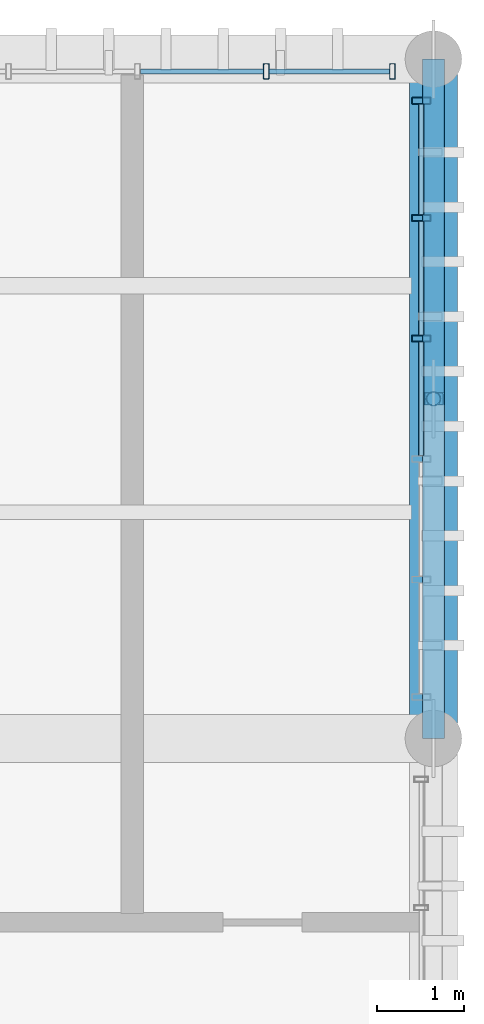
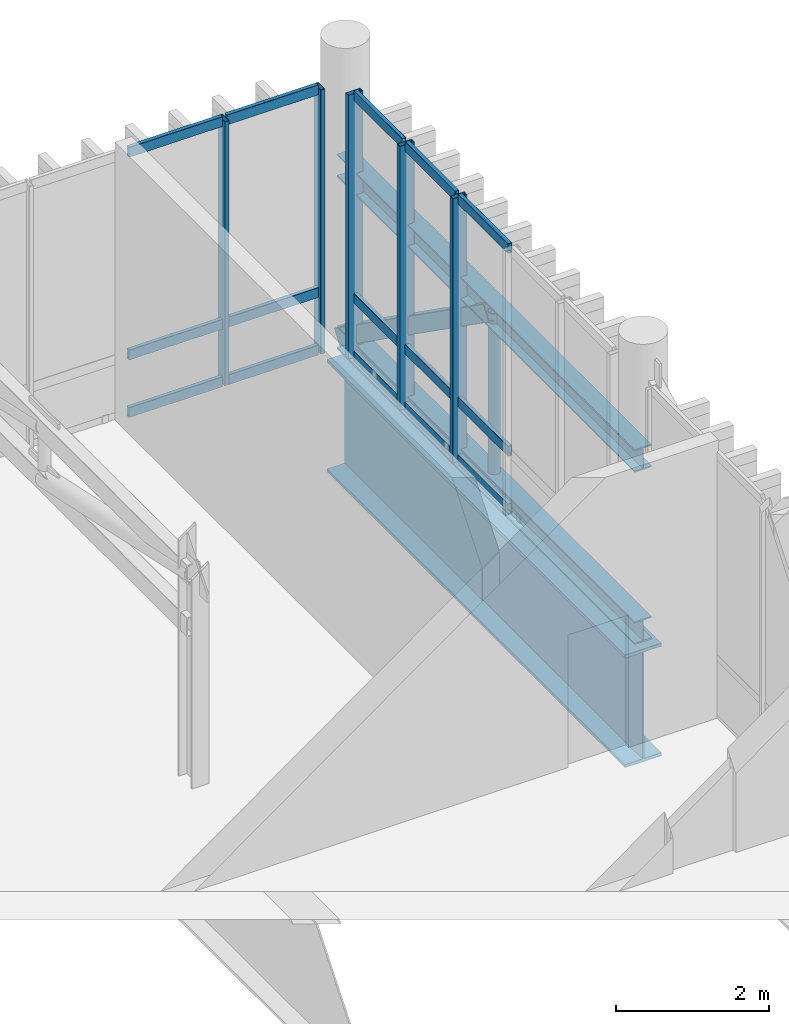
# One storey, part 54 of 81: 24 members, 1 beam, 2 elements without a shape of their own.
"""IFC4 building model written with IfcOpenShell, lengths in metres."""

from ifc_helpers import new_model, si_unit, direction, frame, origin_with_axes, origin_2d_with_axis, place, context, subcontext, project, spatial, hollow_rectangle, hollow_circle, i_section, extrude, material, material_profile, profile_set, type_object, element, aggregate, save


model = new_model("IFC4")

# Units and contexts
model_context = context("Model", 3, precision=1e-05, world=origin_with_axes(), true_north=direction((0.0, 1.0)))
body_context = subcontext(model_context, "Body", "Model", "MODEL_VIEW")
ifc_project = project(units=[si_unit("LENGTHUNIT", "METRE"), si_unit("AREAUNIT", "SQUARE_METRE"), si_unit("VOLUMEUNIT", "CUBIC_METRE"), si_unit("PLANEANGLEUNIT", "RADIAN"), si_unit("MASSUNIT", "GRAM", prefix="KILO"), si_unit("THERMODYNAMICTEMPERATUREUNIT", "KELVIN")], contexts=[model_context])

# Site, building, storey
site_placement = place(None, origin_with_axes())
site = spatial("IfcSite", under=ifc_project, at=site_placement, CompositionType="ELEMENT")
building_placement = place(site_placement, origin_with_axes())
building = spatial("IfcBuilding", under=site, at=building_placement, Name="Montbau Bow Law Courts", CompositionType="ELEMENT")
storey_placement = place(building_placement, frame((0.0, 0.0, 24.9), z_axis=(0.0, 0.0, 1.0), x_axis=(1.0, 0.0, 0.0)))
storey = spatial("IfcBuildingStorey", under=building, at=storey_placement, Name="L05", CompositionType="ELEMENT", Elevation=24.9)

# Beam
ifc_material_1 = material(Name="Steel CSA G40.21 Grade 350WT (350 MPa)", Category="steel")
ifc_material_profile_1 = material_profile(ifc_material_1, i_section(OverallWidth=0.55, OverallDepth=1.8, WebThickness=0.022, FlangeThickness=0.05, at=origin_2d_with_axis()), Name="WWF1800X550", Category="Main", Priority=0)
ifc_profile_set_1 = profile_set([ifc_material_profile_1], Name="Steel CSA G40.21 Grade 350WT (350 MPa)")
beam_type = type_object("IfcBeamType", Name="B-TRG-01", PredefinedType="USERDEFINED", material=ifc_profile_set_1)
beam_placement = place(None, frame((169.4, 103.2, 23.7), z_axis=(0.0, 1.0, 0.0), x_axis=(-1.0, 0.0, 0.0)))
element("IfcBeam", 1, at=beam_placement, inside=storey, type_object=beam_type, Name="TRG-L05-S0085:bm2_0088", ObjectType="GIRDER", PredefinedType="USERDEFINED", context=body_context, shape_type="SweptSolid", body=[
    extrude(i_section(OverallWidth=0.55, OverallDepth=1.8, WebThickness=0.022, FlangeThickness=0.05, at=origin_2d_with_axis()), origin_with_axes(), (0.0, 0.0, 1.0), 7.8),
])

# Members
ifc_material_2 = material(Name="Steel CSA G40.21 Grade 350W (350 MPa)", Category="steel")
ifc_material_profile_2 = material_profile(ifc_material_2, hollow_rectangle(XDim=0.254, YDim=0.254, WallThickness=0.0127, InnerFilletRadius=0.0254, OuterFilletRadius=0.0127, at=origin_2d_with_axis()), Name="HSS254X254X13", Category="Main", Priority=0)
ifc_profile_set_2 = profile_set([ifc_material_profile_2], Name="Steel CSA G40.21 Grade 350W (350 MPa)")
member_type_1 = type_object("IfcMemberType", Name="M-BRC-01", PredefinedType="BRACE", material=ifc_profile_set_2)
member_1_placement = place(None, frame((169.4, 107.1, 27.65), z_axis=(0.0, 0.817258134, -0.576271761), x_axis=(-1.0, 0.0, 0.0)))
element("IfcMember", 2, at=member_1_placement, inside=storey, type_object=member_type_1, Name="Diagonal brace BRC-L05-028", PredefinedType="BRACE", context=body_context, shape_type="SweptSolid", body=[
    extrude(hollow_rectangle(XDim=0.254, YDim=0.254, WallThickness=0.0127, InnerFilletRadius=0.0254, OuterFilletRadius=0.0127, at=origin_2d_with_axis()), origin_with_axes(), (0.0, 0.0, 1.0), 4.772054),
])
ifc_material_profile_3 = material_profile(ifc_material_1, i_section(OverallWidth=0.257, OverallDepth=0.363, WebThickness=0.013, FlangeThickness=0.0217, at=origin_2d_with_axis()), Name="W360X122", Category="Main", Priority=0)
ifc_profile_set_3 = profile_set([ifc_material_profile_3], Name="Steel CSA G40.21 Grade 350WT (350 MPa)")
member_type_2 = type_object("IfcMemberType", Name="M-CHD-01", PredefinedType="CHORD", material=ifc_profile_set_3)
for number, where, z_axis, x_axis, name in (
    (3, (169.4, 103.2, 24.9), (0.0, 1.0, 0.0), (-1.0, 0.0, 0.0), "CHB-L05-14:chb_0014"),
    (4, (169.4, 103.2, 27.65), (0.0, 1.0, 0.0), (-1.0, 0.0, 0.0), "CHD-L05-14:mbr_0053"),
):
    element("IfcMember", number, at=place(None, frame(where, z_axis=z_axis, x_axis=x_axis)), inside=storey, type_object=member_type_2, Name=name, PredefinedType="CHORD", context=body_context, shape_type="SweptSolid", body=[
        extrude(i_section(OverallWidth=0.257, OverallDepth=0.363, WebThickness=0.013, FlangeThickness=0.0217, at=origin_2d_with_axis()), origin_with_axes(), (0.0, 0.0, 1.0), 7.8),
    ])

# Curtain wall, members
ifc_material_3 = material(Name="Thermally Broken Extruded Aluminium AA 6063-T6", Category="aluminium")
curtain_wall_type = type_object("IfcCurtainWallType", Name="CW-SLT-02", PredefinedType="NOTDEFINED", material=ifc_material_3)
curtain_wall_1_placement = place(None, frame((169.26, 103.64, 24.9), z_axis=(0.0, 0.0, 1.0), x_axis=(1.0, 0.0, 0.0)))
curtain_wall_1 = element("IfcCurtainWall", 5, at=curtain_wall_1_placement, inside=storey, type_object=curtain_wall_type, Name="CW-L05-348:cw_0348", PredefinedType="NOTDEFINED")
ifc_material_profile_4 = material_profile(ifc_material_3, hollow_rectangle(XDim=0.075, YDim=0.22, WallThickness=0.005, InnerFilletRadius=0.01, OuterFilletRadius=0.005, at=origin_2d_with_axis()), Name="CWM-220X75", Category="Main", Priority=0)
ifc_profile_set_4 = profile_set([ifc_material_profile_4], Name="Thermally Broken Extruded Aluminium AA 6063-T6")
member_type_3 = type_object("IfcMemberType", Name="M-MUL-01", PredefinedType="MULLION", material=ifc_profile_set_4)
member_2_placement = place(None, frame((169.26, 107.792, 24.9), z_axis=(0.0, 0.0, 1.0), x_axis=(0.0, 1.0, 0.0)))
member_2 = element("IfcMember", 6, at=member_2_placement, type_object=member_type_3, Name="CW-L05-348-M04:cw_0348_M04", PredefinedType="MULLION", context=body_context, shape_type="SweptSolid", body=[
    extrude(hollow_rectangle(XDim=0.075, YDim=0.22, WallThickness=0.005, InnerFilletRadius=0.01, OuterFilletRadius=0.005, at=origin_2d_with_axis()), origin_with_axes(), (0.0, 0.0, 1.0), 4.22),
])
member_3_placement = place(None, frame((169.26, 109.176, 24.9), z_axis=(0.0, 0.0, 1.0), x_axis=(0.0, 1.0, 0.0)))
member_3 = element("IfcMember", 7, at=member_3_placement, type_object=member_type_3, Name="CW-L05-348-M05:cw_0348_M05", PredefinedType="MULLION", context=body_context, shape_type="SweptSolid", body=[
    extrude(hollow_rectangle(XDim=0.075, YDim=0.22, WallThickness=0.005, InnerFilletRadius=0.01, OuterFilletRadius=0.005, at=origin_2d_with_axis()), origin_with_axes(), (0.0, 0.0, 1.0), 4.22),
])
member_4_placement = place(None, frame((169.26, 110.523, 24.9), z_axis=(0.0, 0.0, 1.0), x_axis=(0.0, 1.0, 0.0)))
member_4 = element("IfcMember", 8, at=member_4_placement, type_object=member_type_3, Name="CW-L05-348-M06:cw_0348_M06", PredefinedType="MULLION", context=body_context, shape_type="SweptSolid", body=[
    extrude(hollow_rectangle(XDim=0.075, YDim=0.22, WallThickness=0.005, InnerFilletRadius=0.01, OuterFilletRadius=0.005, at=origin_2d_with_axis()), origin_with_axes(), (0.0, 0.0, 1.0), 4.22),
])

curtain_wall_2_placement = place(None, frame((163.04, 110.86, 24.9), z_axis=(0.0, 0.0, 1.0), x_axis=(1.0, 0.0, 0.0)))
curtain_wall_2 = element("IfcCurtainWall", 9, at=curtain_wall_2_placement, inside=storey, type_object=curtain_wall_type, Name="CW-L05-340:cw_0340", PredefinedType="NOTDEFINED")
ifc_material_profile_5 = material_profile(ifc_material_3, hollow_rectangle(XDim=0.065, YDim=0.18, WallThickness=0.005, InnerFilletRadius=0.01, OuterFilletRadius=0.005, at=origin_2d_with_axis()), Name="CWM-180X65", Category="Main", Priority=0)
ifc_profile_set_5 = profile_set([ifc_material_profile_5], Name="Thermally Broken Extruded Aluminium AA 6063-T6")
member_type_4 = type_object("IfcMemberType", Name="M-MUL-02", PredefinedType="MULLION", material=ifc_profile_set_5)
member_5_placement = place(None, frame((167.48, 110.86, 24.9), z_axis=(0.0, 0.0, 1.0), x_axis=(1.0, 0.0, 0.0)))
member_5 = element("IfcMember", 10, at=member_5_placement, type_object=member_type_4, Name="CW-L05-340-M04:cw_0340_M04", PredefinedType="MULLION", context=body_context, shape_type="SweptSolid", body=[
    extrude(hollow_rectangle(XDim=0.065, YDim=0.18, WallThickness=0.005, InnerFilletRadius=0.01, OuterFilletRadius=0.005, at=origin_2d_with_axis()), origin_with_axes(), (0.0, 0.0, 1.0), 4.22),
])
member_6_placement = place(None, frame((168.928, 110.86, 24.9), z_axis=(0.0, 0.0, 1.0), x_axis=(1.0, 0.0, 0.0)))
member_6 = element("IfcMember", 11, at=member_6_placement, type_object=member_type_4, Name="CW-L05-340-M05:cw_0340_M05", PredefinedType="MULLION", context=body_context, shape_type="SweptSolid", body=[
    extrude(hollow_rectangle(XDim=0.065, YDim=0.18, WallThickness=0.005, InnerFilletRadius=0.01, OuterFilletRadius=0.005, at=origin_2d_with_axis()), origin_with_axes(), (0.0, 0.0, 1.0), 4.22),
])

# Member
ifc_material_profile_6 = material_profile(ifc_material_2, hollow_circle(Radius=0.084, WallThickness=0.0095, at=origin_2d_with_axis()), Name="HSS168X9.5", Category="Main", Priority=0)
ifc_profile_set_6 = profile_set([ifc_material_profile_6], Name="Steel CSA G40.21 Grade 350W (350 MPa)")
member_type_5 = type_object("IfcMemberType", Name="M-STR-01", PredefinedType="STRUT", material=ifc_profile_set_6)
member_7_placement = place(None, frame((169.4, 107.1, 24.9), z_axis=(0.0, 0.0, 1.0), x_axis=(1.0, 0.0, 0.0)))
element("IfcMember", 12, at=member_7_placement, inside=storey, type_object=member_type_5, Name="STR-L05-14:mbr_0056", PredefinedType="STRUT", context=body_context, shape_type="SweptSolid", body=[
    extrude(hollow_circle(Radius=0.084, WallThickness=0.0095, at=origin_2d_with_axis()), origin_with_axes(), (0.0, 0.0, 1.0), 2.75),
])

ifc_material_profile_7 = material_profile(ifc_material_3, hollow_rectangle(XDim=0.06, YDim=0.16, WallThickness=0.004, InnerFilletRadius=0.008, OuterFilletRadius=0.004, at=origin_2d_with_axis()), Name="CWT-160X60", Category="Main", Priority=0)
ifc_profile_set_7 = profile_set([ifc_material_profile_7], Name="Thermally Broken Extruded Aluminium AA 6063-T6")
member_type_6 = type_object("IfcMemberType", Name="M-TRN-01", PredefinedType="USERDEFINED", material=ifc_profile_set_7)
member_8_placement = place(None, frame((166.034, 110.86, 24.93), z_axis=(1.0, 0.0, 0.0), x_axis=(0.0, 1.0, 0.0)))
member_8 = element("IfcMember", 13, at=member_8_placement, type_object=member_type_6, Name="CW-L05-340-T03-1:cw_0340_T03_1", ObjectType="TRANSOM", PredefinedType="USERDEFINED", context=body_context, shape_type="SweptSolid", body=[
    extrude(hollow_rectangle(XDim=0.06, YDim=0.16, WallThickness=0.004, InnerFilletRadius=0.008, OuterFilletRadius=0.004, at=origin_2d_with_axis()), origin_with_axes(), (0.0, 0.0, 1.0), 1.412),
])

member_9_placement = place(None, frame((166.034, 110.86, 25.85), z_axis=(1.0, 0.0, 0.0), x_axis=(0.0, 1.0, 0.0)))
member_9 = element("IfcMember", 14, at=member_9_placement, type_object=member_type_6, Name="CW-L05-340-T03-2:cw_0340_T03_2", ObjectType="TRANSOM", PredefinedType="USERDEFINED", context=body_context, shape_type="SweptSolid", body=[
    extrude(hollow_rectangle(XDim=0.06, YDim=0.16, WallThickness=0.004, InnerFilletRadius=0.008, OuterFilletRadius=0.004, at=origin_2d_with_axis()), origin_with_axes(), (0.0, 0.0, 1.0), 1.412),
])

member_10_placement = place(None, frame((166.034, 110.86, 29.09), z_axis=(1.0, 0.0, 0.0), x_axis=(0.0, 1.0, 0.0)))
member_10 = element("IfcMember", 15, at=member_10_placement, type_object=member_type_6, Name="CW-L05-340-T03-3:cw_0340_T03_3", ObjectType="TRANSOM", PredefinedType="USERDEFINED", context=body_context, shape_type="SweptSolid", body=[
    extrude(hollow_rectangle(XDim=0.06, YDim=0.16, WallThickness=0.004, InnerFilletRadius=0.008, OuterFilletRadius=0.004, at=origin_2d_with_axis()), origin_with_axes(), (0.0, 0.0, 1.0), 1.412),
])

member_11_placement = place(None, frame((167.514, 110.86, 24.93), z_axis=(1.0, 0.0, 0.0), x_axis=(0.0, 1.0, 0.0)))
member_11 = element("IfcMember", 16, at=member_11_placement, type_object=member_type_6, Name="CW-L05-340-T04-1:cw_0340_T04_1", ObjectType="TRANSOM", PredefinedType="USERDEFINED", context=body_context, shape_type="SweptSolid", body=[
    extrude(hollow_rectangle(XDim=0.06, YDim=0.16, WallThickness=0.004, InnerFilletRadius=0.008, OuterFilletRadius=0.004, at=origin_2d_with_axis()), origin_with_axes(), (0.0, 0.0, 1.0), 1.38),
])

member_12_placement = place(None, frame((167.514, 110.86, 25.85), z_axis=(1.0, 0.0, 0.0), x_axis=(0.0, 1.0, 0.0)))
member_12 = element("IfcMember", 17, at=member_12_placement, type_object=member_type_6, Name="CW-L05-340-T04-2:cw_0340_T04_2", ObjectType="TRANSOM", PredefinedType="USERDEFINED", context=body_context, shape_type="SweptSolid", body=[
    extrude(hollow_rectangle(XDim=0.06, YDim=0.16, WallThickness=0.004, InnerFilletRadius=0.008, OuterFilletRadius=0.004, at=origin_2d_with_axis()), origin_with_axes(), (0.0, 0.0, 1.0), 1.38),
])

member_13_placement = place(None, frame((167.514, 110.86, 29.09), z_axis=(1.0, 0.0, 0.0), x_axis=(0.0, 1.0, 0.0)))
member_13 = element("IfcMember", 18, at=member_13_placement, type_object=member_type_6, Name="CW-L05-340-T04-3:cw_0340_T04_3", ObjectType="TRANSOM", PredefinedType="USERDEFINED", context=body_context, shape_type="SweptSolid", body=[
    extrude(hollow_rectangle(XDim=0.06, YDim=0.16, WallThickness=0.004, InnerFilletRadius=0.008, OuterFilletRadius=0.004, at=origin_2d_with_axis()), origin_with_axes(), (0.0, 0.0, 1.0), 1.38),
])

aggregate(curtain_wall_2, [member_5, member_6, member_8, member_9, member_10, member_11, member_12, member_13])

member_14_placement = place(None, frame((169.26, 106.447, 24.93), z_axis=(0.0, 1.0, 0.0), x_axis=(-1.0, 0.0, 0.0)))
member_14 = element("IfcMember", 19, at=member_14_placement, type_object=member_type_6, Name="CW-L05-348-T03-1:cw_0348_T03_1", ObjectType="TRANSOM", PredefinedType="USERDEFINED", context=body_context, shape_type="SweptSolid", body=[
    extrude(hollow_rectangle(XDim=0.06, YDim=0.16, WallThickness=0.004, InnerFilletRadius=0.008, OuterFilletRadius=0.004, at=origin_2d_with_axis()), origin_with_axes(), (0.0, 0.0, 1.0), 1.306),
])

member_15_placement = place(None, frame((169.26, 106.447, 25.85), z_axis=(0.0, 1.0, 0.0), x_axis=(-1.0, 0.0, 0.0)))
member_15 = element("IfcMember", 20, at=member_15_placement, type_object=member_type_6, Name="CW-L05-348-T03-2:cw_0348_T03_2", ObjectType="TRANSOM", PredefinedType="USERDEFINED", context=body_context, shape_type="SweptSolid", body=[
    extrude(hollow_rectangle(XDim=0.06, YDim=0.16, WallThickness=0.004, InnerFilletRadius=0.008, OuterFilletRadius=0.004, at=origin_2d_with_axis()), origin_with_axes(), (0.0, 0.0, 1.0), 1.306),
])

member_16_placement = place(None, frame((169.26, 106.447, 29.09), z_axis=(0.0, 1.0, 0.0), x_axis=(-1.0, 0.0, 0.0)))
member_16 = element("IfcMember", 21, at=member_16_placement, type_object=member_type_6, Name="CW-L05-348-T03-3:cw_0348_T03_3", ObjectType="TRANSOM", PredefinedType="USERDEFINED", context=body_context, shape_type="SweptSolid", body=[
    extrude(hollow_rectangle(XDim=0.06, YDim=0.16, WallThickness=0.004, InnerFilletRadius=0.008, OuterFilletRadius=0.004, at=origin_2d_with_axis()), origin_with_axes(), (0.0, 0.0, 1.0), 1.306),
])

member_17_placement = place(None, frame((169.26, 107.831, 24.93), z_axis=(0.0, 1.0, 0.0), x_axis=(-1.0, 0.0, 0.0)))
member_17 = element("IfcMember", 22, at=member_17_placement, type_object=member_type_6, Name="CW-L05-348-T04-1:cw_0348_T04_1", ObjectType="TRANSOM", PredefinedType="USERDEFINED", context=body_context, shape_type="SweptSolid", body=[
    extrude(hollow_rectangle(XDim=0.06, YDim=0.16, WallThickness=0.004, InnerFilletRadius=0.008, OuterFilletRadius=0.004, at=origin_2d_with_axis()), origin_with_axes(), (0.0, 0.0, 1.0), 1.306),
])

member_18_placement = place(None, frame((169.26, 107.831, 25.85), z_axis=(0.0, 1.0, 0.0), x_axis=(-1.0, 0.0, 0.0)))
member_18 = element("IfcMember", 23, at=member_18_placement, type_object=member_type_6, Name="CW-L05-348-T04-2:cw_0348_T04_2", ObjectType="TRANSOM", PredefinedType="USERDEFINED", context=body_context, shape_type="SweptSolid", body=[
    extrude(hollow_rectangle(XDim=0.06, YDim=0.16, WallThickness=0.004, InnerFilletRadius=0.008, OuterFilletRadius=0.004, at=origin_2d_with_axis()), origin_with_axes(), (0.0, 0.0, 1.0), 1.306),
])

member_19_placement = place(None, frame((169.26, 107.831, 29.09), z_axis=(0.0, 1.0, 0.0), x_axis=(-1.0, 0.0, 0.0)))
member_19 = element("IfcMember", 24, at=member_19_placement, type_object=member_type_6, Name="CW-L05-348-T04-3:cw_0348_T04_3", ObjectType="TRANSOM", PredefinedType="USERDEFINED", context=body_context, shape_type="SweptSolid", body=[
    extrude(hollow_rectangle(XDim=0.06, YDim=0.16, WallThickness=0.004, InnerFilletRadius=0.008, OuterFilletRadius=0.004, at=origin_2d_with_axis()), origin_with_axes(), (0.0, 0.0, 1.0), 1.306),
])

member_20_placement = place(None, frame((169.26, 109.215, 24.93), z_axis=(0.0, 1.0, 0.0), x_axis=(-1.0, 0.0, 0.0)))
member_20 = element("IfcMember", 25, at=member_20_placement, type_object=member_type_6, Name="CW-L05-348-T05-1:cw_0348_T05_1", ObjectType="TRANSOM", PredefinedType="USERDEFINED", context=body_context, shape_type="SweptSolid", body=[
    extrude(hollow_rectangle(XDim=0.06, YDim=0.16, WallThickness=0.004, InnerFilletRadius=0.008, OuterFilletRadius=0.004, at=origin_2d_with_axis()), origin_with_axes(), (0.0, 0.0, 1.0), 1.269),
])

member_21_placement = place(None, frame((169.26, 109.215, 25.85), z_axis=(0.0, 1.0, 0.0), x_axis=(-1.0, 0.0, 0.0)))
member_21 = element("IfcMember", 26, at=member_21_placement, type_object=member_type_6, Name="CW-L05-348-T05-2:cw_0348_T05_2", ObjectType="TRANSOM", PredefinedType="USERDEFINED", context=body_context, shape_type="SweptSolid", body=[
    extrude(hollow_rectangle(XDim=0.06, YDim=0.16, WallThickness=0.004, InnerFilletRadius=0.008, OuterFilletRadius=0.004, at=origin_2d_with_axis()), origin_with_axes(), (0.0, 0.0, 1.0), 1.269),
])

member_22_placement = place(None, frame((169.26, 109.215, 29.09), z_axis=(0.0, 1.0, 0.0), x_axis=(-1.0, 0.0, 0.0)))
member_22 = element("IfcMember", 27, at=member_22_placement, type_object=member_type_6, Name="CW-L05-348-T05-3:cw_0348_T05_3", ObjectType="TRANSOM", PredefinedType="USERDEFINED", context=body_context, shape_type="SweptSolid", body=[
    extrude(hollow_rectangle(XDim=0.06, YDim=0.16, WallThickness=0.004, InnerFilletRadius=0.008, OuterFilletRadius=0.004, at=origin_2d_with_axis()), origin_with_axes(), (0.0, 0.0, 1.0), 1.269),
])

aggregate(curtain_wall_1, [member_2, member_3, member_4, member_14, member_15, member_16, member_17, member_18, member_19, member_20, member_21, member_22])

save(model, "model.ifc")
